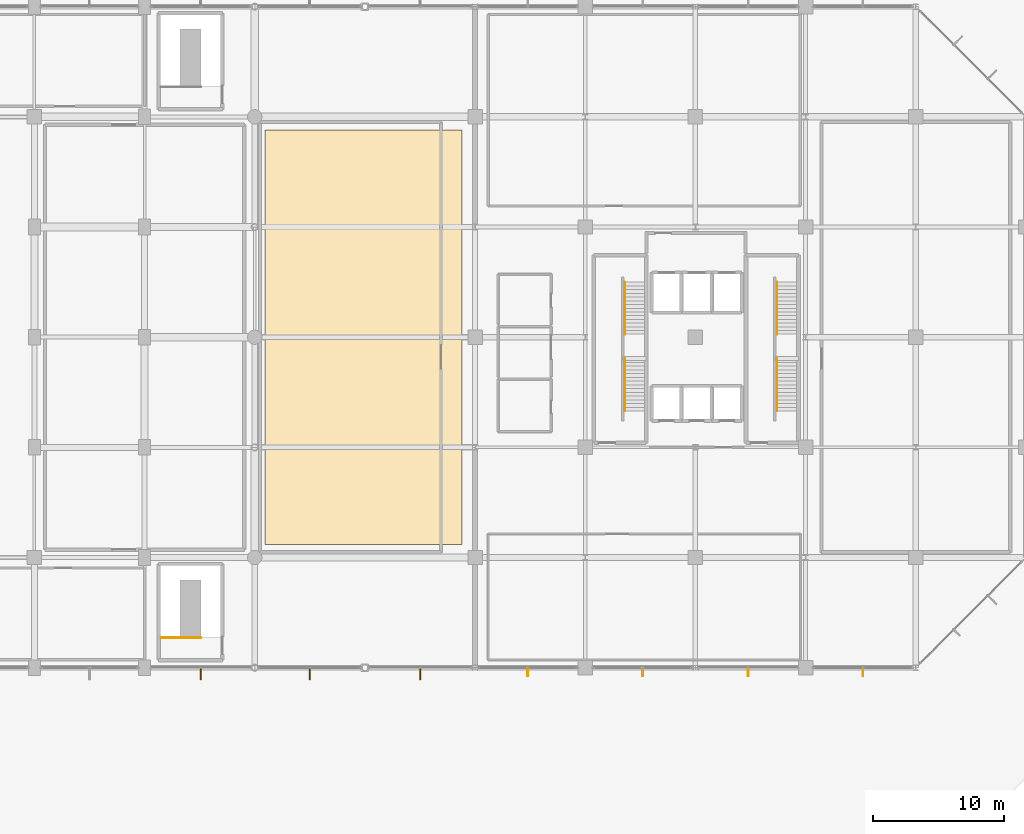
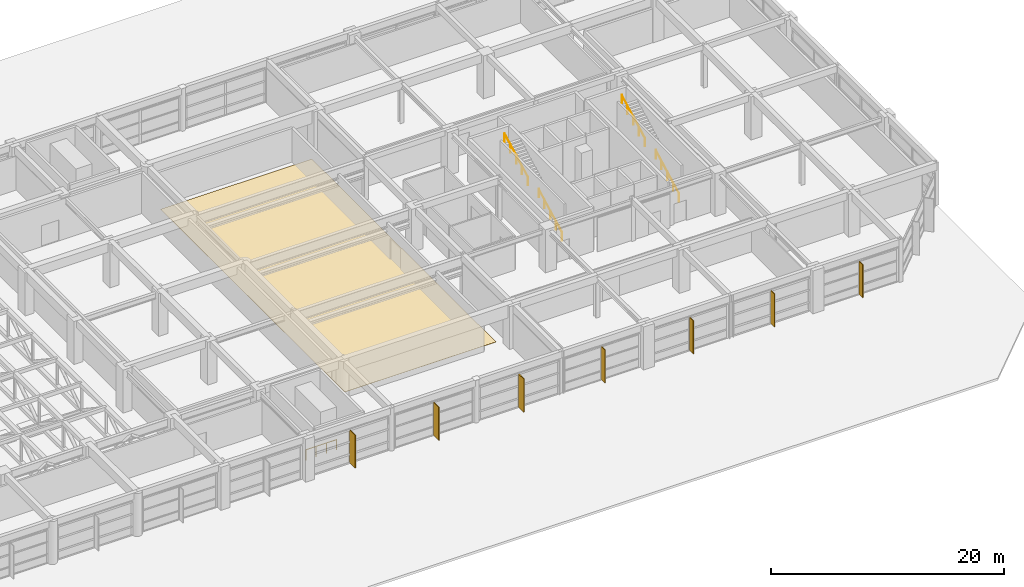
# One storey, part 45 of 47: 7 shading devices, 5 railings, 1 covering.
"""IFC4 building model written with IfcOpenShell, lengths in metres."""

from ifc_helpers import new_model, si_unit, direction, frame, origin, origin_2d, place, context, subcontext, project, spatial, polyline, rectangle, circle, outline, extrude, material, layer, layer_set, type_object, element, save


model = new_model("IFC4")

# Units and contexts
model_context = context("Model", 3, precision=1e-05, world=origin(), true_north=direction((0.0, 1.0)))
body_context = subcontext(model_context, "Body", "Model", "MODEL_VIEW")
ifc_project = project(units=[si_unit("LENGTHUNIT", "METRE"), si_unit("AREAUNIT", "SQUARE_METRE"), si_unit("VOLUMEUNIT", "CUBIC_METRE"), si_unit("PLANEANGLEUNIT", "RADIAN"), si_unit("MASSUNIT", "GRAM", prefix="KILO")], contexts=[model_context])

# Site, building, storey
site_placement = place(None, origin())
site = spatial("IfcSite", under=ifc_project, at=site_placement, CompositionType="ELEMENT")
building_placement = place(site_placement, origin())
building = spatial("IfcBuilding", under=site, at=building_placement, Name="Xuanlan Plaza Opera House", CompositionType="ELEMENT")
storey_placement = place(building_placement, frame((0.0, 0.0, 23.39990234375)))
storey = spatial("IfcBuildingStorey", under=building, at=storey_placement, Name="L05", CompositionType="ELEMENT", Elevation=23.39990234375)

# Shading devices
ifc_material_1 = material(Name="Anodised Aluminium 6063-T6", Category="aluminium")
shading_device_type_1 = type_object("IfcShadingDeviceType", Name="ENV-SHD-BRS01", PredefinedType="JALOUSIE", material=ifc_material_1)
for number, where, z_axis, x_axis, name in (
    (1, (130.02490234375, 33.27490234375, 0.0400390625), (0.0, 0.0, 1.0), (0.0, -1.0, 0.0), "Parametric Sunshade Fin L05-0253"),
    (2, (138.77490234375, 33.27490234375, 0.0400390625), (0.0, 0.0, 1.0), (0.0, -1.0, 0.0), "Parametric Sunshade Fin L05-0254"),
    (3, (146.824951171875, 33.27490234375, 0.0400390625), (0.0, 0.0, 1.0), (0.0, -1.0, 0.0), "Parametric Sunshade Fin L05-0255"),
    (4, (155.574951171875, 33.27490234375, 0.0400390625), (0.0, 0.0, 1.0), (0.0, -1.0, 0.0), "Parametric Sunshade Fin L05-0256"),
):
    element("IfcShadingDevice", number, at=place(storey_placement, frame(where, z_axis=z_axis, x_axis=x_axis)), inside=storey, type_object=shading_device_type_1, Name=name, PredefinedType="JALOUSIE", context=body_context, shape_type="SweptSolid", body=[
        extrude(rectangle(XDim=0.639892578125, YDim=0.070068359375, at=origin_2d()), origin(), (0.0, 0.0, 1.0), 3.4599609375),
    ])
shading_device_type_2 = type_object("IfcShadingDeviceType", Name="ENV-SHD-BRS02", PredefinedType="JALOUSIE", material=ifc_material_1)
for number, where, z_axis, x_axis, name in (
    (5, (105.097900390625, 33.135009765625, 0.0400390625), (0.0, 0.0, 1.0), (0.0, -1.0, 0.0), "Parametric Sunshade Fin L05-0250"),
    (6, (113.39990234375, 33.135009765625, 0.0400390625), (0.0, 0.0, 1.0), (0.0, -1.0, 0.0), "Parametric Sunshade Fin L05-0251"),
    (7, (121.826904296875, 33.135009765625, 0.0400390625), (0.0, 0.0, 1.0), (0.0, -1.0, 0.0), "Parametric Sunshade Fin L05-0252"),
):
    element("IfcShadingDevice", number, at=place(storey_placement, frame(where, z_axis=z_axis, x_axis=x_axis)), inside=storey, type_object=shading_device_type_2, Name=name, PredefinedType="JALOUSIE", context=body_context, shape_type="SweptSolid", body=[
        extrude(rectangle(XDim=0.919921875, YDim=0.080078125, at=origin_2d()), origin(), (0.0, 0.0, 1.0), 3.4599609375),
    ])

# Covering
ifc_material_2 = material(Name="Walnut Hardwood Timber", Category="wood")
ifc_layer = layer(ifc_material_2, 0.02490234375)
ifc_layer_set = layer_set([ifc_layer], Name="Walnut Hardwood Timber")
covering_type = type_object("IfcCoveringType", Name="INT-COV-FLR-02", PredefinedType="FLOORING", material=ifc_layer_set)
covering_placement = place(storey_placement, origin())
element("IfcCovering", 8, at=covering_placement, inside=storey, type_object=covering_type, Name="Acoustic Floor Finish FLR-EXH-L05", PredefinedType="FLOORING", context=body_context, shape_type="SweptSolid", body=[
    extrude(outline(polyline([(110.0, 43.0), (125.0, 43.0), (125.0, 74.60009765625), (110.0, 74.60009765625), (110.0, 43.0)])), origin(), (0.0, 0.0, 1.0), 0.025146484375),
])

# Railings
ifc_material_3 = material(Name="Galvanised Steel Q235B", Category="steel")
railing_type_1 = type_object("IfcRailingType", Name="INT-RL-GR04", PredefinedType="GUARDRAIL", material=ifc_material_3)
railing_placement = place(storey_placement, frame((102.0400390625, 35.8798828125, 0.0)))
element("IfcRailing", 9, at=railing_placement, inside=storey, type_object=railing_type_1, Name="Feature Stair Top Guardrail ST-F1 L05", PredefinedType="GUARDRAIL", context=body_context, shape_type="SweptSolid", body=[
    extrude(circle(Radius=0.02392578125, at=origin_2d()), frame((0.0, 0.0, 1.076171875), z_axis=(1.0, 0.0, 0.0), x_axis=(0.0, 1.0, 0.0)), (0.0, 0.0, 1.0), 3.06005859375),
    extrude(circle(Radius=0.02099609375, at=origin_2d()), origin(), (0.0, 0.0, 1.0), 1.052001953125),
    extrude(circle(Radius=0.02099609375, at=origin_2d()), frame((1.02001953125, 0.0, 0.0)), (0.0, 0.0, 1.0), 1.052001953125),
    extrude(circle(Radius=0.02099609375, at=origin_2d()), frame((2.0400390625, 0.0, 0.0)), (0.0, 0.0, 1.0), 1.052001953125),
    extrude(circle(Radius=0.02099609375, at=origin_2d()), frame((3.06005859375, 0.0, 0.0)), (0.0, 0.0, 1.0), 1.052001953125),
])
ifc_material_4 = material(Name="Stainless Steel S30408", Category="steel")
railing_type_2 = type_object("IfcRailingType", Name="INT-RL-HR01", PredefinedType="HANDRAIL", material=ifc_material_4)
for number, where, name in (
    (10, (137.409912109375, 53.169921875, 0.150146484375), "Stair Handrail ST-T1 L05 Flight 1"),
    (11, (137.409912109375, 59.010009765625, 2.400146484375), "Stair Handrail ST-T1 L05 Flight 2"),
    (12, (149.010009765625, 53.169921875, 0.150146484375), "Stair Handrail ST-T2 L05 Flight 1"),
    (13, (149.010009765625, 59.010009765625, 2.400146484375), "Stair Handrail ST-T2 L05 Flight 2"),
):
    element("IfcRailing", number, at=place(storey_placement, frame(where)), inside=storey, type_object=railing_type_2, Name=name, PredefinedType="HANDRAIL", context=body_context, shape_type="SweptSolid", body=[
        extrude(circle(Radius=0.02392578125, at=origin_2d()), frame((0.0, 0.0, 0.8759765625), z_axis=(0.0, 0.884931142248, 0.465721884261), x_axis=(-1.0, 0.0, 0.0)), (0.0, 0.0, 1.0), 4.5087890625),
        extrude(circle(Radius=0.02099609375, at=origin_2d()), origin(), (0.0, 0.0, 1.0), 0.851806640625),
        extrude(circle(Radius=0.02099609375, at=origin_2d()), frame((0.0, 0.99755859375, 0.52490234375)), (0.0, 0.0, 1.0), 0.851806640625),
        extrude(circle(Radius=0.02099609375, at=origin_2d()), frame((0.0, 1.9951171875, 1.0498046875)), (0.0, 0.0, 1.0), 0.851806640625),
        extrude(circle(Radius=0.02099609375, at=origin_2d()), frame((0.0, 2.992431640625, 1.574951171875)), (0.0, 0.0, 1.0), 0.851806640625),
        extrude(circle(Radius=0.02099609375, at=origin_2d()), frame((0.0, 3.989990234375, 2.099853515625)), (0.0, 0.0, 1.0), 0.851806640625),
    ])

save(model, "model.ifc")
